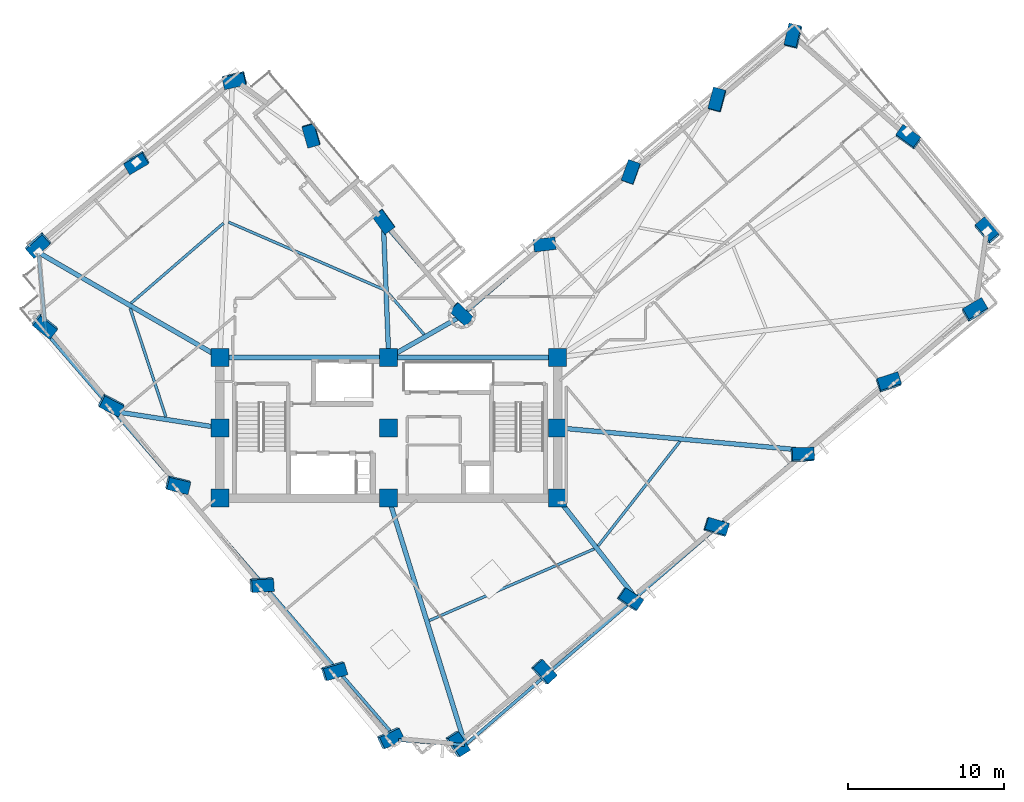
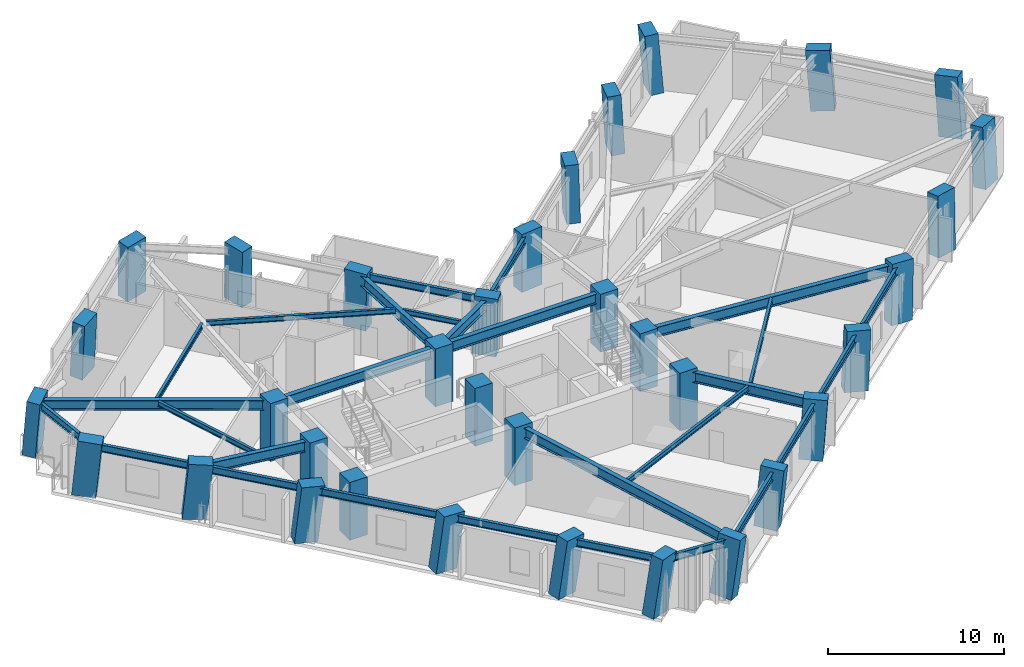
# One storey, part 1 of 14: 34 columns, 28 beams.
"""IFC4 building model written with IfcOpenShell, lengths in metres."""

from ifc_helpers import new_model, si_unit, direction, frame, origin, origin_2d, place, context, subcontext, project, spatial, rectangle, i_section, extrude, material, material_profile, profile_set, type_object, element, save


model = new_model("IFC4")

# Units and contexts
model_context = context("Model", 3, precision=1e-05, world=origin(), true_north=direction((0.0, 1.0)))
body_context = subcontext(model_context, "Body", "Model", "MODEL_VIEW")
ifc_project = project(units=[si_unit("LENGTHUNIT", "METRE"), si_unit("AREAUNIT", "SQUARE_METRE"), si_unit("VOLUMEUNIT", "CUBIC_METRE"), si_unit("PLANEANGLEUNIT", "RADIAN"), si_unit("MASSUNIT", "GRAM", prefix="KILO")], contexts=[model_context])

# Site, building, storey
site_placement = place(None, origin())
site = spatial("IfcSite", under=ifc_project, at=site_placement, CompositionType="ELEMENT")
building_placement = place(site_placement, origin())
building = spatial("IfcBuilding", under=site, at=building_placement, Name="Gaonmaruhae Medical Tower", CompositionType="ELEMENT")
storey_placement = place(building_placement, frame((0.0, 0.0, 193.800048828125)))
storey = spatial("IfcBuildingStorey", under=building, at=storey_placement, Name="L46", CompositionType="ELEMENT", Elevation=193.800048828125)

# Columns
ifc_material_1 = material(Name="Concrete C50/60", Category="concrete")
ifc_material_profile_1 = material_profile(ifc_material_1, rectangle(XDim=1.14990234375, YDim=1.14990234375, at=origin_2d()), Name="RC-1150x1150")
ifc_profile_set_1 = profile_set([ifc_material_profile_1], Name="Concrete C50/60")
column_type_1 = type_object("IfcColumnType", Name="CC-04 Zone 3 Core Column (RC-1150x1150)", PredefinedType="COLUMN", material=ifc_profile_set_1)
for number, where, z_axis, x_axis, name in (
    (1, (14.0, 7.800048828125, 0.0), (0.0, 0.0, 1.0), (1.0, 0.0, 0.0), "L46 Plumb Core Column CC11"),
    (2, (14.0, 12.300048828125, 0.0), (0.0, 0.0, 1.0), (1.0, 0.0, 0.0), "L46 Plumb Core Column CC12"),
    (3, (14.0, 16.800048828125, 0.0), (0.0, 0.0, 1.0), (1.0, 0.0, 0.0), "L46 Plumb Core Column CC13"),
    (4, (24.800048828125, 7.800048828125, 0.0), (0.0, 0.0, 1.0), (1.0, 0.0, 0.0), "L46 Plumb Core Column CC21"),
    (5, (24.800048828125, 12.300048828125, 0.0), (0.0, 0.0, 1.0), (1.0, 0.0, 0.0), "L46 Plumb Core Column CC22"),
    (6, (24.800048828125, 16.800048828125, 0.0), (0.0, 0.0, 1.0), (1.0, 0.0, 0.0), "L46 Plumb Core Column CC23"),
    (7, (35.60009765625, 7.800048828125, 0.0), (0.0, 0.0, 1.0), (1.0, 0.0, 0.0), "L46 Plumb Core Column CC31"),
    (8, (35.60009765625, 12.300048828125, 0.0), (0.0, 0.0, 1.0), (1.0, 0.0, 0.0), "L46 Plumb Core Column CC32"),
    (9, (35.60009765625, 16.800048828125, 0.0), (0.0, 0.0, 1.0), (1.0, 0.0, 0.0), "L46 Plumb Core Column CC33"),
):
    element("IfcColumn", number, at=place(storey_placement, frame(where, z_axis=z_axis, x_axis=x_axis)), inside=storey, type_object=column_type_1, Name=name, PredefinedType="COLUMN", context=body_context, shape_type="SweptSolid", body=[
        extrude(rectangle(XDim=1.14990234375, YDim=1.14990234375, at=origin_2d()), origin(), (0.0, 0.0, 1.0), 4.0),
    ])
ifc_material_2 = material(Name="Concrete C60/75", Category="concrete")
ifc_material_profile_2 = material_profile(ifc_material_2, rectangle(XDim=1.39990234375, YDim=0.800048828125, at=origin_2d()), Name="RC-1400x800")
ifc_profile_set_2 = profile_set([ifc_material_profile_2], Name="Concrete C60/75")
column_type_2 = type_object("IfcColumnType", Name="TC-02 Mid Raking Tube Pier Column (RC-1400x800)", PredefinedType="COLUMN", material=ifc_profile_set_2)
column_1_placement = place(storey_placement, frame((29.153564453125, -7.9208984375, 0.001708984375), z_axis=(0.134550464549, -0.017129006508, 0.990758683851), x_axis=(-0.533551323529, 0.841280752398, 0.087003912587)))
element("IfcColumn", 10, at=column_1_placement, inside=storey, type_object=column_type_2, Name="L46 Perimeter Tube Column S01", PredefinedType="COLUMN", context=body_context, shape_type="SweptSolid", body=[
    extrude(rectangle(XDim=1.39990234375, YDim=0.800048828125, at=origin_2d()), origin(), (0.0, 0.0, 1.0), 4.03369140625),
])
column_2_placement = place(storey_placement, frame((34.67724609375, -3.30224609375, 0.001708984375), z_axis=(0.115656544752, 0.005339861458, 0.993274911359), x_axis=(-0.671840144102, 0.736963534801, 0.074266877854)))
element("IfcColumn", 11, at=column_2_placement, inside=storey, type_object=column_type_2, Name="L46 Perimeter Tube Column S02", PredefinedType="COLUMN", context=body_context, shape_type="SweptSolid", body=[
    extrude(rectangle(XDim=1.39990234375, YDim=0.800048828125, at=origin_2d()), origin(), (0.0, 0.0, 1.0), 4.0234375),
])
column_3_placement = place(storey_placement, frame((40.20068359375, 1.316162109375, 0.001708984375), z_axis=(0.096641843147, 0.028020056409, 0.994924736144), x_axis=(-0.826582032204, 0.559103058849, 0.064543889124)))
element("IfcColumn", 12, at=column_3_placement, inside=storey, type_object=column_type_2, Name="L46 Perimeter Tube Column S03", PredefinedType="COLUMN", context=body_context, shape_type="SweptSolid", body=[
    extrude(rectangle(XDim=1.39990234375, YDim=0.800048828125, at=origin_2d()), origin(), (0.0, 0.0, 1.0), 4.016845703125),
])
column_4_placement = place(storey_placement, frame((45.724365234375, 5.9345703125, 0.001708984375), z_axis=(0.077435241864, 0.050670507834, 0.995708934857), x_axis=(-0.954505911001, 0.292223987972, 0.05935997573)))
element("IfcColumn", 13, at=column_4_placement, inside=storey, type_object=column_type_2, Name="L46 Perimeter Tube Column S04", PredefinedType="COLUMN", context=body_context, shape_type="SweptSolid", body=[
    extrude(rectangle(XDim=1.39990234375, YDim=0.800048828125, at=origin_2d()), origin(), (0.0, 0.0, 1.0), 4.013671875),
])
column_5_placement = place(storey_placement, frame((51.247802734375, 10.552978515625, 0.001708984375), z_axis=(0.058207280613, 0.073352121651, 0.995606035906), x_axis=(-0.99792031094, -0.023390957451, 0.060065931471)))
element("IfcColumn", 14, at=column_5_placement, inside=storey, type_object=column_type_2, Name="L46 Perimeter Tube Column S05", PredefinedType="COLUMN", context=body_context, shape_type="SweptSolid", body=[
    extrude(rectangle(XDim=1.39990234375, YDim=0.800048828125, at=origin_2d()), origin(), (0.0, 0.0, 1.0), 4.013916015625),
])
column_6_placement = place(storey_placement, frame((56.771484375, 15.171630859375, 0.001708984375), z_axis=(0.038888663532, 0.095824097484, 0.994638333361), x_axis=(-0.950777266838, -0.302691625146, 0.066335276659)))
element("IfcColumn", 15, at=column_6_placement, inside=storey, type_object=column_type_2, Name="L46 Perimeter Tube Column S06", PredefinedType="COLUMN", context=body_context, shape_type="SweptSolid", body=[
    extrude(rectangle(XDim=1.39990234375, YDim=0.800048828125, at=origin_2d()), origin(), (0.0, 0.0, 1.0), 4.017822265625),
])
column_7_placement = place(storey_placement, frame((62.294921875, 19.7900390625, 0.001708984375), z_axis=(0.01965074563, 0.118268376478, 0.992787207473), x_axis=(-0.861169473964, -0.50246694011, 0.076903258768)))
element("IfcColumn", 16, at=column_7_placement, inside=storey, type_object=column_type_2, Name="L46 Perimeter Tube Column S07", PredefinedType="COLUMN", context=body_context, shape_type="SweptSolid", body=[
    extrude(rectangle(XDim=1.39990234375, YDim=0.800048828125, at=origin_2d()), origin(), (0.0, 0.0, 1.0), 4.025390625),
])
column_8_placement = place(storey_placement, frame((63.067626953125, 24.867919921875, 0.001708984375), z_axis=(-0.001273441718, 0.121280163659, 0.992617499467), x_axis=(0.649409600176, -0.754724730488, 0.09304704396)))
element("IfcColumn", 17, at=column_8_placement, inside=storey, type_object=column_type_2, Name="L46 Perimeter Tube Column E01", PredefinedType="COLUMN", context=body_context, shape_type="SweptSolid", body=[
    extrude(rectangle(XDim=1.39990234375, YDim=0.800048828125, at=origin_2d()), origin(), (0.0, 0.0, 1.0), 4.026123046875),
])
column_9_placement = place(storey_placement, frame((58.064208984375, 30.851806640625, 0.001708984375), z_axis=(-0.025762365333, 0.100679809803, 0.994585278611), x_axis=(0.810575889279, -0.580181348715, 0.079726597341)))
element("IfcColumn", 18, at=column_9_placement, inside=storey, type_object=column_type_2, Name="L46 Perimeter Tube Column E02", PredefinedType="COLUMN", context=body_context, shape_type="SweptSolid", body=[
    extrude(rectangle(XDim=1.39990234375, YDim=0.800048828125, at=origin_2d()), origin(), (0.0, 0.0, 1.0), 4.01806640625),
])
column_10_placement = place(storey_placement, frame((50.69140625, 37.3310546875, 0.001708984375), z_axis=(-0.052336656855, 0.070167634133, 0.996161321006), x_axis=(-0.232905424339, -0.970877035885, 0.056150195946)))
element("IfcColumn", 19, at=column_10_placement, inside=storey, type_object=column_type_2, Name="L46 Perimeter Tube Column E03", PredefinedType="COLUMN", context=body_context, shape_type="SweptSolid", body=[
    extrude(rectangle(XDim=1.39990234375, YDim=0.800048828125, at=origin_2d()), origin(), (0.0, 0.0, 1.0), 4.01171875),
])
column_11_placement = place(storey_placement, frame((45.81982421875, 33.2578125, 0.001708984375), z_axis=(-0.035365775685, 0.050304767138, 0.998107555484), x_axis=(-0.259375911416, -0.964970615448, 0.039444237835)))
element("IfcColumn", 20, at=column_11_placement, inside=storey, type_object=column_type_2, Name="L46 Perimeter Tube Column EN01", PredefinedType="COLUMN", context=body_context, shape_type="SweptSolid", body=[
    extrude(rectangle(XDim=1.39990234375, YDim=0.800048828125, at=origin_2d()), origin(), (0.0, 0.0, 1.0), 4.00390625),
])
column_12_placement = place(storey_placement, frame((40.29638671875, 28.639404296875, 0.001708984375), z_axis=(-0.016119806958, 0.027599063427, 0.999489091247), x_axis=(-0.339101027747, -0.940526536454, 0.02050188302)))
element("IfcColumn", 21, at=column_12_placement, inside=storey, type_object=column_type_2, Name="L46 Perimeter Tube Column EN02", PredefinedType="COLUMN", context=body_context, shape_type="SweptSolid", body=[
    extrude(rectangle(XDim=1.39990234375, YDim=0.800048828125, at=origin_2d()), origin(), (0.0, 0.0, 1.0), 3.998291015625),
])
column_13_placement = place(storey_placement, frame((34.77294921875, 24.02099609375, 0.001708984375), z_axis=(0.003176682547, 0.004887203919, 0.999983011819), x_axis=(-0.992801362115, -0.119714141473, 0.003738945699)))
element("IfcColumn", 22, at=column_13_placement, inside=storey, type_object=column_type_2, Name="L46 Perimeter Tube Column EN03", PredefinedType="COLUMN", context=body_context, shape_type="SweptSolid", body=[
    extrude(rectangle(XDim=1.39990234375, YDim=0.800048828125, at=origin_2d()), origin(), (0.0, 0.0, 1.0), 3.996337890625),
])
column_14_placement = place(storey_placement, frame((29.441162109375, 19.562744140625, 0.001708984375), z_axis=(0.021801167922, -0.017037887535, 0.999617136441), x_axis=(-0.729765502986, 0.68314184463, 0.027559585755)))
element("IfcColumn", 23, at=column_14_placement, inside=storey, type_object=column_type_2, Name="L46 Perimeter Tube Column KN01", PredefinedType="COLUMN", context=body_context, shape_type="SweptSolid", body=[
    extrude(rectangle(XDim=1.39990234375, YDim=0.800048828125, at=origin_2d()), origin(), (0.0, 0.0, 1.0), 3.997802734375),
])
column_15_placement = place(storey_placement, frame((24.4697265625, 25.50830078125, 0.001708984375), z_axis=(-0.00262502539, -0.037849203304, 0.999280014336), x_axis=(-0.586871563846, 0.809156714425, 0.029106340381)))
element("IfcColumn", 24, at=column_15_placement, inside=storey, type_object=column_type_2, Name="L46 Perimeter Tube Column NE01", PredefinedType="COLUMN", context=body_context, shape_type="SweptSolid", body=[
    extrude(rectangle(XDim=1.39990234375, YDim=0.800048828125, at=origin_2d()), origin(), (0.0, 0.0, 1.0), 3.999267578125),
])
column_16_placement = place(storey_placement, frame((19.851318359375, 31.03173828125, 0.001708984375), z_axis=(-0.025303350166, -0.057069724712, 0.998049491254), x_axis=(-0.276053399892, 0.959948355604, 0.047892326953)))
element("IfcColumn", 25, at=column_16_placement, inside=storey, type_object=column_type_2, Name="L46 Perimeter Tube Column NE02", PredefinedType="COLUMN", context=body_context, shape_type="SweptSolid", body=[
    extrude(rectangle(XDim=1.39990234375, YDim=0.800048828125, at=origin_2d()), origin(), (0.0, 0.0, 1.0), 4.004150390625),
])
column_17_placement = place(storey_placement, frame((14.947998046875, 34.5576171875, 0.001708984375), z_axis=(-0.039619816067, -0.077352974227, 0.996216235339), x_axis=(0.97412520806, 0.219025688292, 0.055747886876)))
element("IfcColumn", 26, at=column_17_placement, inside=storey, type_object=column_type_2, Name="L46 Perimeter Tube Column N01", PredefinedType="COLUMN", context=body_context, shape_type="SweptSolid", body=[
    extrude(rectangle(XDim=1.39990234375, YDim=0.800048828125, at=origin_2d()), origin(), (0.0, 0.0, 1.0), 4.011474609375),
])
column_18_placement = place(storey_placement, frame((8.6572265625, 29.297607421875, 0.001708984375), z_axis=(-0.017680192528, -0.102982564722, 0.994526018843), x_axis=(0.864046115237, 0.498930874198, 0.067024573969)))
element("IfcColumn", 27, at=column_18_placement, inside=storey, type_object=column_type_2, Name="L46 Perimeter Tube Column N02", PredefinedType="COLUMN", context=body_context, shape_type="SweptSolid", body=[
    extrude(rectangle(XDim=1.39990234375, YDim=0.800048828125, at=origin_2d()), origin(), (0.0, 0.0, 1.0), 4.018310546875),
])
column_19_placement = place(storey_placement, frame((2.36669921875, 24.03759765625, 0.001708984375), z_axis=(0.004180399267, -0.128320081857, 0.991723994292), x_axis=(0.746045220592, 0.660783065092, 0.082354536725)))
element("IfcColumn", 28, at=column_19_placement, inside=storey, type_object=column_type_2, Name="L46 Perimeter Tube Column N03", PredefinedType="COLUMN", context=body_context, shape_type="SweptSolid", body=[
    extrude(rectangle(XDim=1.39990234375, YDim=0.800048828125, at=origin_2d()), origin(), (0.0, 0.0, 1.0), 4.02978515625),
])
column_20_placement = place(storey_placement, frame((2.791259765625, 18.852783203125, 0.001708984375), z_axis=(0.025504522349, -0.126432157108, 0.991647330954), x_axis=(-0.779217128749, 0.61889411685, 0.098948160124)))
element("IfcColumn", 29, at=column_20_placement, inside=storey, type_object=column_type_2, Name="L46 Perimeter Tube Column W01", PredefinedType="COLUMN", context=body_context, shape_type="SweptSolid", body=[
    extrude(rectangle(XDim=1.39990234375, YDim=0.800048828125, at=origin_2d()), origin(), (0.0, 0.0, 1.0), 4.030029296875),
])
column_21_placement = place(storey_placement, frame((7.02490234375, 13.78955078125, 0.001708984375), z_axis=(0.046223942846, -0.109008432146, 0.992965512407), x_axis=(-0.8879381116, 0.450904474812, 0.090835370657)))
element("IfcColumn", 30, at=column_21_placement, inside=storey, type_object=column_type_2, Name="L46 Perimeter Tube Column W02", PredefinedType="COLUMN", context=body_context, shape_type="SweptSolid", body=[
    extrude(rectangle(XDim=1.39990234375, YDim=0.800048828125, at=origin_2d()), origin(), (0.0, 0.0, 1.0), 4.024658203125),
])
column_22_placement = place(storey_placement, frame((11.29052734375, 8.68798828125, 0.001708984375), z_axis=(0.06713117767, -0.091349387336, 0.993553568972), x_axis=(-0.968253797519, 0.234352396494, 0.08696860265)))
element("IfcColumn", 31, at=column_22_placement, inside=storey, type_object=column_type_2, Name="L46 Perimeter Tube Column W03", PredefinedType="COLUMN", context=body_context, shape_type="SweptSolid", body=[
    extrude(rectangle(XDim=1.39990234375, YDim=0.800048828125, at=origin_2d()), origin(), (0.0, 0.0, 1.0), 4.022216796875),
])
column_23_placement = place(storey_placement, frame((16.646728515625, 2.2822265625, 0.001708984375), z_axis=(0.093322794659, -0.069051586685, 0.993238508302), x_axis=(-0.994068500379, -0.062416942405, 0.089061449882)))
element("IfcColumn", 32, at=column_23_placement, inside=storey, type_object=column_type_2, Name="L46 Perimeter Tube Column W04", PredefinedType="COLUMN", context=body_context, shape_type="SweptSolid", body=[
    extrude(rectangle(XDim=1.39990234375, YDim=0.800048828125, at=origin_2d()), origin(), (0.0, 0.0, 1.0), 4.0234375),
])
column_24_placement = place(storey_placement, frame((21.26513671875, -3.2412109375, 0.001708984375), z_axis=(0.115753760942, -0.049816540049, 0.992027912493), x_axis=(-0.952632116824, -0.288349842674, 0.096676875341)))
element("IfcColumn", 33, at=column_24_placement, inside=storey, type_object=column_type_2, Name="L46 Perimeter Tube Column W05", PredefinedType="COLUMN", context=body_context, shape_type="SweptSolid", body=[
    extrude(rectangle(XDim=1.39990234375, YDim=0.800048828125, at=origin_2d()), origin(), (0.0, 0.0, 1.0), 4.028564453125),
])
column_25_placement = place(storey_placement, frame((24.857421875, -7.537353515625, 0.001708984375), z_axis=(0.133062635348, -0.034793549489, 0.990496715789), x_axis=(-0.897429616936, -0.428353900996, 0.105513118368)))
element("IfcColumn", 34, at=column_25_placement, inside=storey, type_object=column_type_2, Name="L46 Perimeter Tube Column W06", PredefinedType="COLUMN", context=body_context, shape_type="SweptSolid", body=[
    extrude(rectangle(XDim=1.39990234375, YDim=0.800048828125, at=origin_2d()), origin(), (0.0, 0.0, 1.0), 4.03466796875),
])

# Beams
ifc_material_3 = material(Name="Steel SM355", Category="steel")
ifc_material_profile_3 = material_profile(ifc_material_3, i_section(OverallWidth=0.175048828125, OverallDepth=0.35009765625, WebThickness=0.007080078125, FlangeThickness=0.010986328125, FilletRadius=0.012939453125, at=origin_2d()), Name="H-350x175x7x11")
ifc_profile_set_3 = profile_set([ifc_material_profile_3], Name="Steel SM355")
beam_type_1 = type_object("IfcBeamType", Name="FJ-02 Upper Zone Ward Floor Joist (H-350x175x7x11)", PredefinedType="JOIST", material=ifc_profile_set_3)
beam_1_placement = place(storey_placement, frame((27.39208984375, -0.032470703125, 3.60498046875), z_axis=(0.917267949173, 0.398270648453, 0.0), x_axis=(-0.398270648453, 0.917267949173, 0.0)))
element("IfcBeam", 35, at=beam_1_placement, inside=storey, type_object=beam_type_1, Name="L46 Secondary Floor Joist FJ01", PredefinedType="JOIST", context=body_context, shape_type="SweptSolid", body=[
    extrude(i_section(OverallWidth=0.175048828125, OverallDepth=0.35009765625, WebThickness=0.007080078125, FlangeThickness=0.010986328125, FilletRadius=0.012939453125, at=origin_2d()), origin(), (0.0, 0.0, 1.0), 11.506591796875),
])
beam_2_placement = place(storey_placement, frame((38.193359375, 4.74072265625, 3.60498046875), z_axis=(0.616290432456, 0.787518953971, 0.0), x_axis=(-0.787518953971, 0.616290432456, 0.0)))
element("IfcBeam", 36, at=beam_2_placement, inside=storey, type_object=beam_type_1, Name="L46 Secondary Floor Joist FJ02", PredefinedType="JOIST", context=body_context, shape_type="SweptSolid", body=[
    extrude(i_section(OverallWidth=0.175048828125, OverallDepth=0.35009765625, WebThickness=0.007080078125, FlangeThickness=0.010986328125, FilletRadius=0.012939453125, at=origin_2d()), origin(), (0.0, 0.0, 1.0), 8.4921875),
])
beam_3_placement = place(storey_placement, frame((27.060302734375, 18.267578125, 3.60498046875), z_axis=(-0.654094264232, 0.756413044242, 0.0), x_axis=(-0.756413044242, -0.654094264232, 0.0)))
element("IfcBeam", 37, at=beam_3_placement, inside=storey, type_object=beam_type_1, Name="L46 Secondary Floor Joist FJ08", PredefinedType="JOIST", context=body_context, shape_type="SweptSolid", body=[
    extrude(i_section(OverallWidth=0.175048828125, OverallDepth=0.35009765625, WebThickness=0.007080078125, FlangeThickness=0.010986328125, FilletRadius=0.012939453125, at=origin_2d()), origin(), (0.0, 0.0, 1.0), 3.46923828125),
])
beam_4_placement = place(storey_placement, frame((24.471435546875, 21.147216796875, 3.60498046875), z_axis=(-0.91723427726, 0.398348190179, 0.0), x_axis=(-0.398348190179, -0.91723427726, 0.0)))
element("IfcBeam", 38, at=beam_4_placement, inside=storey, type_object=beam_type_1, Name="L46 Secondary Floor Joist FJ09", PredefinedType="JOIST", context=body_context, shape_type="SweptSolid", body=[
    extrude(i_section(OverallWidth=0.175048828125, OverallDepth=0.35009765625, WebThickness=0.007080078125, FlangeThickness=0.010986328125, FilletRadius=0.012939453125, at=origin_2d()), origin(), (0.0, 0.0, 1.0), 10.81982421875),
])
beam_5_placement = place(storey_placement, frame((14.233642578125, 25.384521484375, 3.60498046875), z_axis=(-0.756420762686, -0.654085338299, 0.0), x_axis=(0.654085338299, -0.756420762686, 0.0)))
element("IfcBeam", 39, at=beam_5_placement, inside=storey, type_object=beam_type_1, Name="L46 Secondary Floor Joist FJ10", PredefinedType="JOIST", context=body_context, shape_type="SweptSolid", body=[
    extrude(i_section(OverallWidth=0.175048828125, OverallDepth=0.35009765625, WebThickness=0.007080078125, FlangeThickness=0.010986328125, FilletRadius=0.012939453125, at=origin_2d()), origin(), (0.0, 0.0, 1.0), 7.82275390625),
])
beam_6_placement = place(storey_placement, frame((8.26416015625, 19.9404296875, 3.60498046875), z_axis=(0.312581375639, -0.949890985115, 0.0), x_axis=(0.949890985115, 0.312581375639, 0.0)))
element("IfcBeam", 40, at=beam_6_placement, inside=storey, type_object=beam_type_1, Name="L46 Secondary Floor Joist FJ11", PredefinedType="JOIST", context=body_context, shape_type="SweptSolid", body=[
    extrude(i_section(OverallWidth=0.175048828125, OverallDepth=0.35009765625, WebThickness=0.007080078125, FlangeThickness=0.010986328125, FilletRadius=0.012939453125, at=origin_2d()), origin(), (0.0, 0.0, 1.0), 7.316162109375),
])
ifc_material_4 = material(Name="Steel SM420", Category="steel")
ifc_material_profile_4 = material_profile(ifc_material_4, i_section(OverallWidth=0.300048828125, OverallDepth=0.699951171875, WebThickness=0.012939453125, FlangeThickness=0.02392578125, FilletRadius=0.01806640625, at=origin_2d()), Name="H-700x300x13x24")
ifc_profile_set_4 = profile_set([ifc_material_profile_4], Name="Steel SM420")
beam_type_2 = type_object("IfcBeamType", Name="PG-03 Zone 3 Radial Floor Girder (H-700x300x13x24)", PredefinedType="BEAM", material=ifc_profile_set_4)
for number, where, z_axis, x_axis, name in (
    (41, (14.050048828125, 16.800048828125, 3.429931640625), (1.0, 0.0, 0.0), (0.0, 1.0, 0.0), "L46 Beam BM-L46-CG-N1"),
    (42, (24.85009765625, 16.800048828125, 3.429931640625), (1.0, 0.0, 0.0), (0.0, 1.0, 0.0), "L46 Beam BM-L46-CG-N2"),
):
    element("IfcBeam", number, at=place(storey_placement, frame(where, z_axis=z_axis, x_axis=x_axis)), inside=storey, type_object=beam_type_2, Name=name, PredefinedType="BEAM", context=body_context, shape_type="SweptSolid", body=[
        extrude(i_section(OverallWidth=0.300048828125, OverallDepth=0.699951171875, WebThickness=0.012939453125, FlangeThickness=0.02392578125, FilletRadius=0.01806640625, at=origin_2d()), origin(), (0.0, 0.0, 1.0), 10.699951171875),
    ])
beam_7_placement = place(storey_placement, frame((24.814697265625, 7.752197265625, 3.429931640625), z_axis=(0.296188911138, -0.955129378105, 0.0), x_axis=(0.955129378105, 0.296188911138, 0.0)))
element("IfcBeam", 43, at=beam_7_placement, inside=storey, type_object=beam_type_2, Name="L46 Radial Primary Girder S01", PredefinedType="BEAM", context=body_context, shape_type="SweptSolid", body=[
    extrude(i_section(OverallWidth=0.300048828125, OverallDepth=0.699951171875, WebThickness=0.012939453125, FlangeThickness=0.02392578125, FilletRadius=0.01806640625, at=origin_2d()), origin(), (0.0, 0.0, 1.0), 16.431884765625),
])
beam_8_placement = place(storey_placement, frame((35.630859375, 7.7607421875, 3.429931640625), z_axis=(0.616521563734, -0.787338022358, 0.0), x_axis=(0.787338022358, 0.616521563734, 0.0)))
element("IfcBeam", 44, at=beam_8_placement, inside=storey, type_object=beam_type_2, Name="L46 Radial Primary Girder S03", PredefinedType="BEAM", context=body_context, shape_type="SweptSolid", body=[
    extrude(i_section(OverallWidth=0.300048828125, OverallDepth=0.699951171875, WebThickness=0.012939453125, FlangeThickness=0.02392578125, FilletRadius=0.01806640625, at=origin_2d()), origin(), (0.0, 0.0, 1.0), 7.992431640625),
])
beam_9_placement = place(storey_placement, frame((35.64990234375, 12.29541015625, 3.429931640625), z_axis=(0.995843939757, -0.091076054203, 0.0), x_axis=(0.091076054203, 0.995843939757, 0.0)))
element("IfcBeam", 45, at=beam_9_placement, inside=storey, type_object=beam_type_2, Name="L46 Radial Primary Girder S05", PredefinedType="BEAM", context=body_context, shape_type="SweptSolid", body=[
    extrude(i_section(OverallWidth=0.300048828125, OverallDepth=0.699951171875, WebThickness=0.012939453125, FlangeThickness=0.02392578125, FilletRadius=0.01806640625, at=origin_2d()), origin(), (0.0, 0.0, 1.0), 15.847900390625),
])
beam_10_placement = place(storey_placement, frame((24.843505859375, 16.82470703125, 3.429931640625), z_axis=(0.868833101229, 0.495105081986, 0.0), x_axis=(-0.495105081986, 0.868833101229, 0.0)))
element("IfcBeam", 46, at=beam_10_placement, inside=storey, type_object=beam_type_2, Name="L46 Radial Primary Girder KN01", PredefinedType="BEAM", context=body_context, shape_type="SweptSolid", body=[
    extrude(i_section(OverallWidth=0.300048828125, OverallDepth=0.699951171875, WebThickness=0.012939453125, FlangeThickness=0.02392578125, FilletRadius=0.01806640625, at=origin_2d()), origin(), (0.0, 0.0, 1.0), 5.34228515625),
])
beam_11_placement = place(storey_placement, frame((24.798095703125, 16.849853515625, 3.429931640625), z_axis=(-0.039806761188, 0.999207396772, 0.0), x_axis=(-0.999207396772, -0.039806761188, 0.0)))
element("IfcBeam", 47, at=beam_11_placement, inside=storey, type_object=beam_type_2, Name="L46 Radial Primary Girder NE01", PredefinedType="BEAM", context=body_context, shape_type="SweptSolid", body=[
    extrude(i_section(OverallWidth=0.300048828125, OverallDepth=0.699951171875, WebThickness=0.012939453125, FlangeThickness=0.02392578125, FilletRadius=0.01806640625, at=origin_2d()), origin(), (0.0, 0.0, 1.0), 8.463623046875),
])
beam_12_placement = place(storey_placement, frame((13.956787109375, 16.824951171875, 3.429931640625), z_axis=(-0.865592713833, 0.500748693218, 0.0), x_axis=(-0.500748693218, -0.865592713833, 0.0)))
element("IfcBeam", 48, at=beam_12_placement, inside=storey, type_object=beam_type_2, Name="L46 Radial Primary Girder N03", PredefinedType="BEAM", context=body_context, shape_type="SweptSolid", body=[
    extrude(i_section(OverallWidth=0.300048828125, OverallDepth=0.699951171875, WebThickness=0.012939453125, FlangeThickness=0.02392578125, FilletRadius=0.01806640625, at=origin_2d()), origin(), (0.0, 0.0, 1.0), 13.3203125),
])
beam_13_placement = place(storey_placement, frame((13.95068359375, 12.3076171875, 3.429931640625), z_axis=(-0.988234969673, 0.152943272867, 0.0), x_axis=(-0.152943272867, -0.988234969673, 0.0)))
element("IfcBeam", 49, at=beam_13_placement, inside=storey, type_object=beam_type_2, Name="L46 Radial Primary Girder W02", PredefinedType="BEAM", context=body_context, shape_type="SweptSolid", body=[
    extrude(i_section(OverallWidth=0.300048828125, OverallDepth=0.699951171875, WebThickness=0.012939453125, FlangeThickness=0.02392578125, FilletRadius=0.01806640625, at=origin_2d()), origin(), (0.0, 0.0, 1.0), 6.769775390625),
])
ifc_material_profile_5 = material_profile(ifc_material_3, i_section(OverallWidth=0.199951171875, OverallDepth=0.5, WebThickness=0.010009765625, FlangeThickness=0.01611328125, FilletRadius=0.012939453125, at=origin_2d()), Name="H-500x200x10x16")
ifc_profile_set_5 = profile_set([ifc_material_profile_5], Name="Steel SM355")
beam_type_3 = type_object("IfcBeamType", Name="SP-02 Upper Perimeter Spandrel Beam (H-500x200x10x16)", PredefinedType="SPANDREL", material=ifc_profile_set_5)
for number, where, z_axis, x_axis, name in (
    (50, (29.726806640625, -7.9638671875, 3.530029296875), (0.756429655788, 0.654075053679, 0.0), (-0.654075053679, 0.756429655788, 0.0), "L46 Perimeter Spandrel Beam S01-S02"),
    (51, (35.173095703125, -3.25439453125, 3.530029296875), (0.756429655788, 0.654075053679, 0.0), (-0.654075053679, 0.756429655788, 0.0), "L46 Perimeter Spandrel Beam S02-S03"),
):
    element("IfcBeam", number, at=place(storey_placement, frame(where, z_axis=z_axis, x_axis=x_axis)), inside=storey, type_object=beam_type_3, Name=name, PredefinedType="SPANDREL", context=body_context, shape_type="SweptSolid", body=[
        extrude(i_section(OverallWidth=0.199951171875, OverallDepth=0.5, WebThickness=0.010009765625, FlangeThickness=0.01611328125, FilletRadius=0.012939453125, at=origin_2d()), origin(), (0.0, 0.0, 1.0), 7.119873046875),
    ])
beam_14_placement = place(storey_placement, frame((40.619384765625, 1.454833984375, 3.530029296875), z_axis=(0.756412690707, 0.65409467307, 0.0), x_axis=(-0.65409467307, 0.756412690707, 0.0)))
element("IfcBeam", 52, at=beam_14_placement, inside=storey, type_object=beam_type_3, Name="L46 Perimeter Spandrel Beam S03-S04", PredefinedType="SPANDREL", context=body_context, shape_type="SweptSolid", body=[
    extrude(i_section(OverallWidth=0.199951171875, OverallDepth=0.5, WebThickness=0.010009765625, FlangeThickness=0.01611328125, FilletRadius=0.012939453125, at=origin_2d()), origin(), (0.0, 0.0, 1.0), 7.1201171875),
])
beam_15_placement = place(storey_placement, frame((46.065673828125, 6.164306640625, 3.530029296875), z_axis=(0.756429655788, 0.654075053679, 0.0), x_axis=(-0.654075053679, 0.756429655788, 0.0)))
element("IfcBeam", 53, at=beam_15_placement, inside=storey, type_object=beam_type_3, Name="L46 Perimeter Spandrel Beam S04-S05", PredefinedType="SPANDREL", context=body_context, shape_type="SweptSolid", body=[
    extrude(i_section(OverallWidth=0.199951171875, OverallDepth=0.5, WebThickness=0.010009765625, FlangeThickness=0.01611328125, FilletRadius=0.012939453125, at=origin_2d()), origin(), (0.0, 0.0, 1.0), 7.119873046875),
])
beam_16_placement = place(storey_placement, frame((34.75537109375, 24.014404296875, 3.530029296875), z_axis=(-0.756424945454, -0.654080501082, 0.0), x_axis=(0.654080501082, -0.756424945454, 0.0)))
element("IfcBeam", 54, at=beam_16_placement, inside=storey, type_object=beam_type_3, Name="L46 Perimeter Spandrel Beam EN03-KN01", PredefinedType="SPANDREL", context=body_context, shape_type="SweptSolid", body=[
    extrude(i_section(OverallWidth=0.199951171875, OverallDepth=0.5, WebThickness=0.010009765625, FlangeThickness=0.01611328125, FilletRadius=0.012939453125, at=origin_2d()), origin(), (0.0, 0.0, 1.0), 6.8701171875),
])
beam_17_placement = place(storey_placement, frame((29.502197265625, 19.52490234375, 3.530029296875), z_axis=(-0.654085489338, 0.756420632081, 0.0), x_axis=(-0.756420632081, -0.654085489338, 0.0)))
element("IfcBeam", 55, at=beam_17_placement, inside=storey, type_object=beam_type_3, Name="L46 Perimeter Spandrel Beam KN01-NE01", PredefinedType="SPANDREL", context=body_context, shape_type="SweptSolid", body=[
    extrude(i_section(OverallWidth=0.199951171875, OverallDepth=0.5, WebThickness=0.010009765625, FlangeThickness=0.01611328125, FilletRadius=0.012939453125, at=origin_2d()), origin(), (0.0, 0.0, 1.0), 7.669921875),
])
beam_18_placement = place(storey_placement, frame((2.387451171875, 23.48046875, 3.530029296875), z_axis=(0.098139779968, -0.995172640092, 0.0), x_axis=(0.995172640092, 0.098139779968, 0.0)))
element("IfcBeam", 56, at=beam_18_placement, inside=storey, type_object=beam_type_3, Name="L46 Perimeter Spandrel Beam N03-W01", PredefinedType="SPANDREL", context=body_context, shape_type="SweptSolid", body=[
    extrude(i_section(OverallWidth=0.199951171875, OverallDepth=0.5, WebThickness=0.010009765625, FlangeThickness=0.01611328125, FilletRadius=0.012939453125, at=origin_2d()), origin(), (0.0, 0.0, 1.0), 5.1220703125),
])
beam_19_placement = place(storey_placement, frame((2.920166015625, 18.31298828125, 3.530029296875), z_axis=(0.654084770789, -0.756421253418, 0.0), x_axis=(0.756421253418, 0.654084770789, 0.0)))
element("IfcBeam", 57, at=beam_19_placement, inside=storey, type_object=beam_type_3, Name="L46 Perimeter Spandrel Beam W01-W02", PredefinedType="SPANDREL", context=body_context, shape_type="SweptSolid", body=[
    extrude(i_section(OverallWidth=0.199951171875, OverallDepth=0.5, WebThickness=0.010009765625, FlangeThickness=0.01611328125, FilletRadius=0.012939453125, at=origin_2d()), origin(), (0.0, 0.0, 1.0), 6.52001953125),
])
beam_20_placement = place(storey_placement, frame((7.2373046875, 13.320556640625, 3.530029296875), z_axis=(0.65406287041, -0.756440190333, 0.0), x_axis=(0.756440190333, 0.65406287041, 0.0)))
element("IfcBeam", 58, at=beam_20_placement, inside=storey, type_object=beam_type_3, Name="L46 Perimeter Spandrel Beam W02-W03", PredefinedType="SPANDREL", context=body_context, shape_type="SweptSolid", body=[
    extrude(i_section(OverallWidth=0.199951171875, OverallDepth=0.5, WebThickness=0.010009765625, FlangeThickness=0.01611328125, FilletRadius=0.012939453125, at=origin_2d()), origin(), (0.0, 0.0, 1.0), 6.56982421875),
])
beam_21_placement = place(storey_placement, frame((11.5869140625, 8.290283203125, 3.530029296875), z_axis=(0.654077071345, -0.756427911133, 0.0), x_axis=(0.756427911133, 0.654077071345, 0.0)))
element("IfcBeam", 59, at=beam_21_placement, inside=storey, type_object=beam_type_3, Name="L46 Perimeter Spandrel Beam W03-W04", PredefinedType="SPANDREL", context=body_context, shape_type="SweptSolid", body=[
    extrude(i_section(OverallWidth=0.199951171875, OverallDepth=0.5, WebThickness=0.010009765625, FlangeThickness=0.01611328125, FilletRadius=0.012939453125, at=origin_2d()), origin(), (0.0, 0.0, 1.0), 8.27001953125),
])
beam_22_placement = place(storey_placement, frame((17.04833984375, 1.97412109375, 3.530029296875), z_axis=(0.65409467307, -0.756412690707, 0.0), x_axis=(0.756412690707, 0.65409467307, 0.0)))
element("IfcBeam", 60, at=beam_22_placement, inside=storey, type_object=beam_type_3, Name="L46 Perimeter Spandrel Beam W04-W05", PredefinedType="SPANDREL", context=body_context, shape_type="SweptSolid", body=[
    extrude(i_section(OverallWidth=0.199951171875, OverallDepth=0.5, WebThickness=0.010009765625, FlangeThickness=0.01611328125, FilletRadius=0.012939453125, at=origin_2d()), origin(), (0.0, 0.0, 1.0), 7.1201171875),
])
beam_23_placement = place(storey_placement, frame((21.7578125, -3.47216796875, 3.530029296875), z_axis=(0.654081494968, -0.756424086039, 0.0), x_axis=(0.756424086039, 0.654081494968, 0.0)))
element("IfcBeam", 61, at=beam_23_placement, inside=storey, type_object=beam_type_3, Name="L46 Perimeter Spandrel Beam W05-W06", PredefinedType="SPANDREL", context=body_context, shape_type="SweptSolid", body=[
    extrude(i_section(OverallWidth=0.199951171875, OverallDepth=0.5, WebThickness=0.010009765625, FlangeThickness=0.01611328125, FilletRadius=0.012939453125, at=origin_2d()), origin(), (0.0, 0.0, 1.0), 5.52001953125),
])
beam_24_placement = place(storey_placement, frame((25.434326171875, -7.6806640625, 3.530029296875), z_axis=(0.997377561338, -0.072374029458, 0.0), x_axis=(0.072374029458, 0.997377561338, 0.0)))
element("IfcBeam", 62, at=beam_24_placement, inside=storey, type_object=beam_type_3, Name="L46 Perimeter Spandrel Beam W06-S01", PredefinedType="SPANDREL", context=body_context, shape_type="SweptSolid", body=[
    extrude(i_section(OverallWidth=0.199951171875, OverallDepth=0.5, WebThickness=0.010009765625, FlangeThickness=0.01611328125, FilletRadius=0.012939453125, at=origin_2d()), origin(), (0.0, 0.0, 1.0), 4.2333984375),
])

save(model, "model.ifc")
